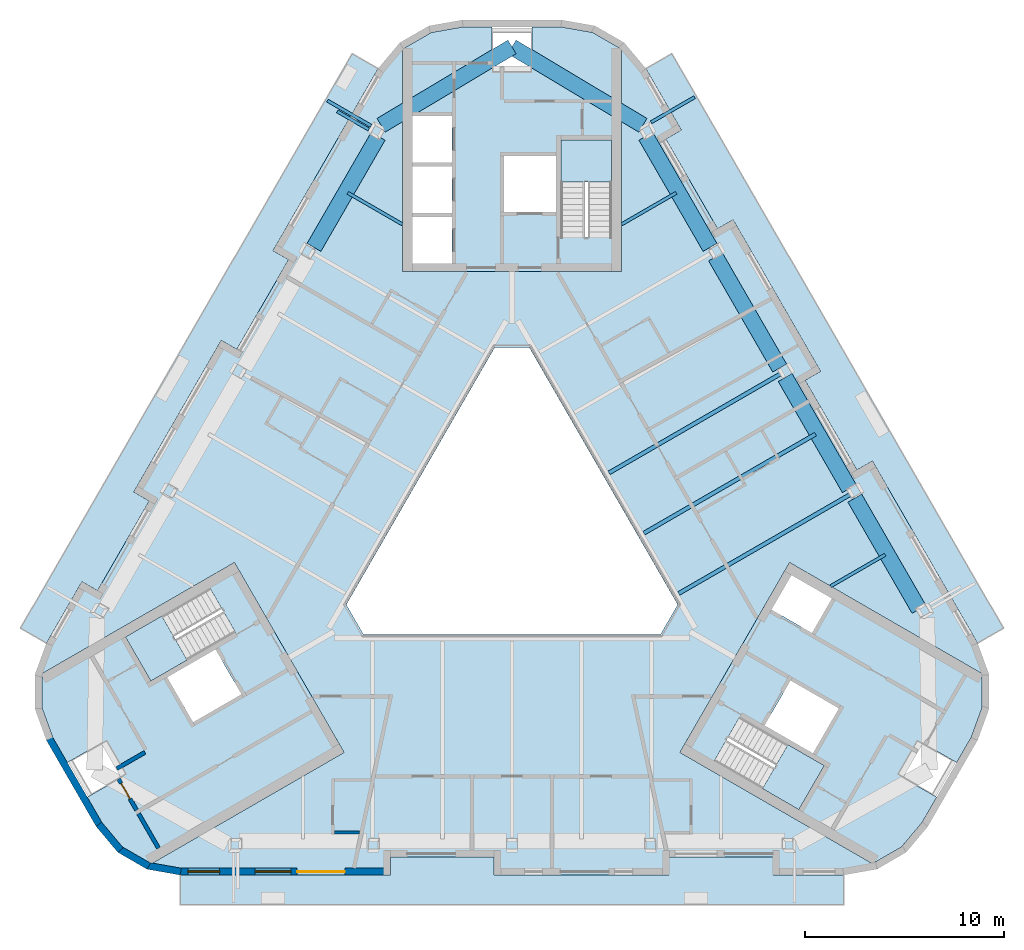
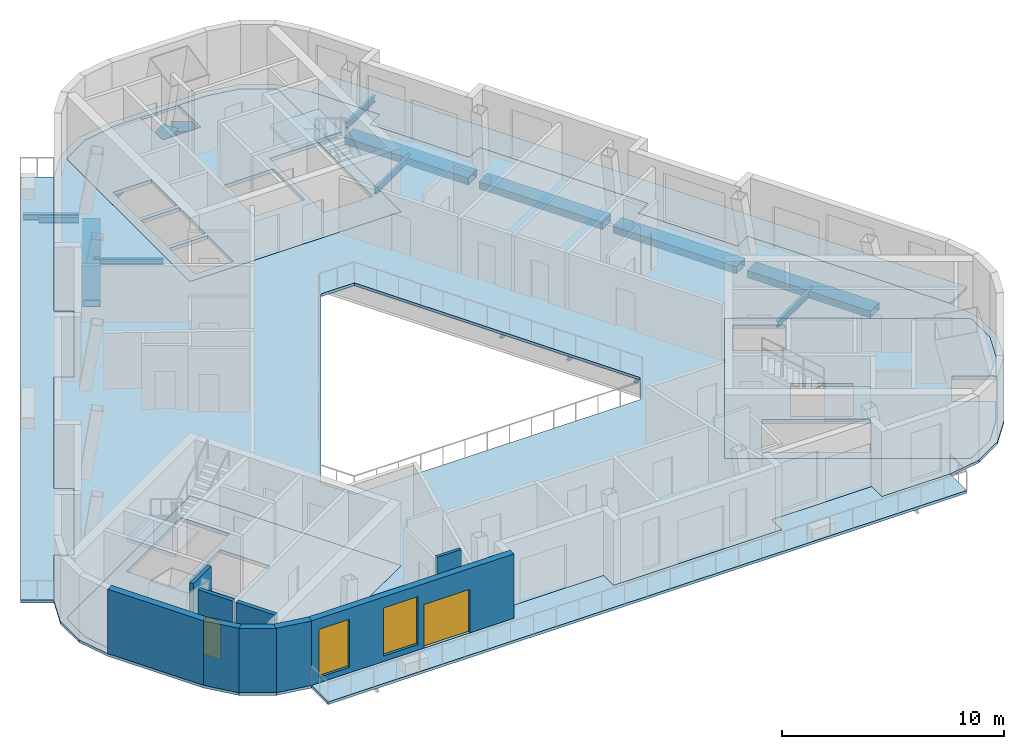
# One storey, part 2 of 13: 16 beams, 10 slabs, 9 walls, 2 doors, 2 windows, 4 openings, 3 elements without a shape of their own.
"""IFC4 building model written with IfcOpenShell, lengths in metres."""

from ifc_helpers import new_model, si_unit, direction, frame, frame_2d, origin, origin_2d, place, context, subcontext, project, spatial, polyline, rectangle, hollow_rectangle, i_section, outline, extrude, material, layer, layer_set, material_profile, profile_set, type_object, element, fill, aggregate, save


model = new_model("IFC4")

# Units and contexts
model_context = context("Model", 3, precision=1e-05, world=origin(), true_north=direction((0.0, 1.0)))
body_context = subcontext(model_context, "Body", "Model", "MODEL_VIEW")
ifc_project = project(units=[si_unit("LENGTHUNIT", "METRE"), si_unit("AREAUNIT", "SQUARE_METRE"), si_unit("VOLUMEUNIT", "CUBIC_METRE"), si_unit("PLANEANGLEUNIT", "RADIAN"), si_unit("MASSUNIT", "GRAM", prefix="KILO")], contexts=[model_context])

# Site, building, storey
site_placement = place(None, origin())
site = spatial("IfcSite", under=ifc_project, at=site_placement, CompositionType="ELEMENT")
building_placement = place(site_placement, origin())
building = spatial("IfcBuilding", under=site, at=building_placement, Name="Apuvela Tower Hotel", CompositionType="ELEMENT")
storey_placement = place(building_placement, frame((0.0, 0.0, 298.5)))
storey = spatial("IfcBuildingStorey", under=building, at=storey_placement, Name="L74", CompositionType="ELEMENT", Elevation=298.5)

# Beams
ifc_material_1 = material(Name="Steel S355", Category="steel")
ifc_material_profile_1 = material_profile(ifc_material_1, i_section(OverallWidth=0.159912109375, OverallDepth=0.330078125, WebThickness=0.007568359375, FlangeThickness=0.011474609375, at=origin_2d()), Name="IPE 330")
ifc_profile_set_1 = profile_set([ifc_material_profile_1], Name="Steel S355")
beam_type_1 = type_object("IfcBeamType", Name="ENV-BALCONY-BEAM-IPE330", PredefinedType="BEAM", material=ifc_profile_set_1)
for number, where, z_axis, x_axis, name in (
    (1, (6.97412109375, 20.3935546875, -0.31494140625), (0.866039067339, 0.499976333282, 0.0), (-0.499976333282, 0.866039067339, 0.0), "Balcony cantilever beam NE3 L74"),
    (2, (-7.07421875, 20.220458984375, -0.31494140625), (-0.866039067339, 0.499976333282, 0.0), (-0.499976333282, -0.866039067339, 0.0), "Balcony cantilever beam NW1 L74"),
):
    element("IfcBeam", number, at=place(storey_placement, frame(where, z_axis=z_axis, x_axis=x_axis)), inside=storey, type_object=beam_type_1, Name=name, PredefinedType="BEAM", context=body_context, shape_type="SweptSolid", body=[
        extrude(i_section(OverallWidth=0.159912109375, OverallDepth=0.330078125, WebThickness=0.007568359375, FlangeThickness=0.011474609375, at=origin_2d()), origin(), (0.0, 0.0, 1.0), 2.52490234375),
    ])
beam_1_placement = place(storey_placement, frame((-7.18408203125, 20.02978515625, -0.31494140625), z_axis=(-0.866011828767, 0.500023511883, 0.0), x_axis=(-0.500023511883, -0.866011828767, 0.0)))
element("IfcBeam", 3, at=beam_1_placement, inside=storey, type_object=beam_type_1, Name="Balcony cantilever beam NW2 L74", PredefinedType="BEAM", context=body_context, shape_type="SweptSolid", body=[
    extrude(i_section(OverallWidth=0.159912109375, OverallDepth=0.330078125, WebThickness=0.007568359375, FlangeThickness=0.011474609375, at=origin_2d()), origin(), (0.0, 0.0, 1.0), 1.8251953125),
])
ifc_material_profile_2 = material_profile(ifc_material_1, i_section(OverallWidth=0.159912109375, OverallDepth=0.330078125, WebThickness=0.007568359375, FlangeThickness=0.011474609375, at=origin_2d()), Name="IPE 330")
ifc_profile_set_2 = profile_set([ifc_material_profile_2], Name="Steel S355")
beam_type_2 = type_object("IfcBeamType", Name="STR-B floor beam IPE 330", PredefinedType="BEAM", material=ifc_profile_set_2)
for number, where, z_axis, x_axis, name in (
    (4, (18.717041015625, -1.295654296875, -0.31494140625), (-0.866023457084, -0.500003371769, 0.0), (0.500003371769, -0.866023457084, 0.0), "Floor beam B1 NE2"),
    (5, (8.236328125, 16.857421875, -0.31494140625), (-0.866023457084, -0.500003371769, 0.0), (0.500003371769, -0.866023457084, 0.0), "Floor beam B1 NE8"),
    (6, (-8.236328125, 16.857421875, -0.31494140625), (0.866023457084, -0.500003371769, 0.0), (0.500003371769, 0.866023457084, 0.0), "Floor beam B1 NW2"),
):
    element("IfcBeam", number, at=place(storey_placement, frame(where, z_axis=z_axis, x_axis=x_axis)), inside=storey, type_object=beam_type_2, Name=name, PredefinedType="BEAM", context=body_context, shape_type="SweptSolid", body=[
        extrude(i_section(OverallWidth=0.159912109375, OverallDepth=0.330078125, WebThickness=0.007568359375, FlangeThickness=0.011474609375, at=origin_2d()), origin(), (0.0, 0.0, 1.0), 3.15966796875),
    ])
ifc_material_profile_3 = material_profile(ifc_material_1, i_section(OverallWidth=0.199951171875, OverallDepth=0.5, WebThickness=0.01025390625, FlangeThickness=0.01611328125, at=origin_2d()), Name="IPE 500")
ifc_profile_set_3 = profile_set([ifc_material_profile_3], Name="Steel S355")
beam_type_3 = type_object("IfcBeamType", Name="STR-B floor beam IPE 500", PredefinedType="BEAM", material=ifc_profile_set_3)
beam_2_placement = place(storey_placement, frame((17.07861328125, 1.792236328125, -0.39990234375), z_axis=(-0.866031712701, -0.499989072476, 0.0), x_axis=(0.499989072476, -0.866031712701, 0.0)))
element("IfcBeam", 7, at=beam_2_placement, inside=storey, type_object=beam_type_3, Name="Floor beam B3 NE3", PredefinedType="BEAM", context=body_context, shape_type="SweptSolid", body=[
    extrude(i_section(OverallWidth=0.199951171875, OverallDepth=0.5, WebThickness=0.01025390625, FlangeThickness=0.01611328125, at=origin_2d()), origin(), (0.0, 0.0, 1.0), 10.066650390625),
])
beam_3_placement = place(storey_placement, frame((15.2236328125, 4.75537109375, -0.39990234375), z_axis=(-0.866023644935, -0.500003046405, 0.0), x_axis=(0.500003046405, -0.866023644935, 0.0)))
element("IfcBeam", 8, at=beam_3_placement, inside=storey, type_object=beam_type_3, Name="Floor beam B3 NE4", PredefinedType="BEAM", context=body_context, shape_type="SweptSolid", body=[
    extrude(i_section(OverallWidth=0.199951171875, OverallDepth=0.5, WebThickness=0.01025390625, FlangeThickness=0.01611328125, at=origin_2d()), origin(), (0.0, 0.0, 1.0), 9.94189453125),
])
beam_4_placement = place(storey_placement, frame((13.5849609375, 7.84326171875, -0.39990234375), z_axis=(-0.866025649656, -0.499999574138, 0.0), x_axis=(0.499999574138, -0.866025649656, 0.0)))
element("IfcBeam", 9, at=beam_4_placement, inside=storey, type_object=beam_type_3, Name="Floor beam B3 NE5", PredefinedType="BEAM", context=body_context, shape_type="SweptSolid", body=[
    extrude(i_section(OverallWidth=0.199951171875, OverallDepth=0.5, WebThickness=0.01025390625, FlangeThickness=0.01611328125, at=origin_2d()), origin(), (0.0, 0.0, 1.0), 10.06640625),
])
ifc_material_2 = material(Name="Steel S460", Category="steel")
ifc_material_profile_4 = material_profile(ifc_material_2, hollow_rectangle(XDim=0.800048828125, YDim=0.39990234375, WallThickness=0.02490234375, at=origin_2d()), Name="BOX 800x400x25")
ifc_profile_set_4 = profile_set([ifc_material_profile_4], Name="Steel S460")
beam_type_4 = type_object("IfcBeamType", Name="STR-RB perimeter ring beam BOX 800x400x25", PredefinedType="SPANDREL", material=ifc_profile_set_4)
beam_5_placement = place(storey_placement, frame((20.4130859375, -4.033203125, -0.39990234375), z_axis=(-0.500022299258, 0.866012528919, 0.0), x_axis=(-0.866012528919, -0.500022299258, 0.0)))
element("IfcBeam", 10, at=beam_5_placement, inside=storey, type_object=beam_type_4, Name="Ring beam RB1 NE1", PredefinedType="SPANDREL", context=body_context, shape_type="SweptSolid", body=[
    extrude(hollow_rectangle(XDim=0.800048828125, YDim=0.39990234375, WallThickness=0.02490234375, at=origin_2d()), origin(), (0.0, 0.0, 1.0), 6.437255859375),
])
for number, where, z_axis, x_axis, name in (
    (11, (16.91943359375, 2.01806640625, -0.39990234375), (-0.499993854458, 0.866028951885, 0.0), (-0.866028951885, -0.499993854458, 0.0), "Ring beam RB1 NE2"),
    (12, (13.42578125, 8.069091796875, -0.39990234375), (-0.499993854458, 0.866028951885, 0.0), (-0.866028951885, -0.499993854458, 0.0), "Ring beam RB1 NE3"),
):
    element("IfcBeam", number, at=place(storey_placement, frame(where, z_axis=z_axis, x_axis=x_axis)), inside=storey, type_object=beam_type_4, Name=name, PredefinedType="SPANDREL", context=body_context, shape_type="SweptSolid", body=[
        extrude(hollow_rectangle(XDim=0.800048828125, YDim=0.39990234375, WallThickness=0.02490234375, at=origin_2d()), origin(), (0.0, 0.0, 1.0), 6.43701171875),
    ])
for number, where, z_axis, x_axis, name in (
    (13, (9.932373046875, 14.1201171875, -0.39990234375), (-0.500010277719, 0.866019469859, 0.0), (-0.866019469859, -0.500010277719, 0.0), "Ring beam RB1 NE4"),
    (14, (-6.7138671875, 19.694580078125, -0.39990234375), (-0.500010277719, -0.866019469859, 0.0), (0.866019469859, -0.500010277719, 0.0), "Ring beam RB1 NW1"),
):
    element("IfcBeam", number, at=place(storey_placement, frame(where, z_axis=z_axis, x_axis=x_axis)), inside=storey, type_object=beam_type_4, Name=name, PredefinedType="SPANDREL", context=body_context, shape_type="SweptSolid", body=[
        extrude(hollow_rectangle(XDim=0.800048828125, YDim=0.39990234375, WallThickness=0.02490234375, at=origin_2d()), origin(), (0.0, 0.0, 1.0), 6.436767578125),
    ])
for number, where, z_axis, x_axis, name in (
    (15, (6.566162109375, 20.244384765625, -0.39990234375), (-0.858013245135, 0.513627560761, 0.0), (-0.513627560761, -0.858013245135, 0.0), "Ring beam RB1 NE5-N"),
    (16, (-6.566162109375, 20.244384765625, -0.39990234375), (0.858013245135, 0.513627560761, 0.0), (-0.513627560761, 0.858013245135, 0.0), "Ring beam RB1 NW1-N"),
):
    element("IfcBeam", number, at=place(storey_placement, frame(where, z_axis=z_axis, x_axis=x_axis)), inside=storey, type_object=beam_type_4, Name=name, PredefinedType="SPANDREL", context=body_context, shape_type="SweptSolid", body=[
        extrude(hollow_rectangle(XDim=0.800048828125, YDim=0.39990234375, WallThickness=0.02490234375, at=origin_2d()), origin(), (0.0, 0.0, 1.0), 7.65283203125),
    ])

# Slabs
ifc_material_3 = material(Name="Concrete C50/60", Category="concrete")
ifc_layer_1 = layer(ifc_material_3, 0.199951171875)
ifc_layer_set_1 = layer_set([ifc_layer_1], Name="COR-FLOOR-200")
slab_type_1 = type_object("IfcSlabType", Name="COR-FLOOR-200", PredefinedType="FLOOR", material=ifc_layer_set_1)
slab_1_placement = place(storey_placement, frame((0.0, 0.0, -0.199951171875)))
element("IfcSlab", 17, at=slab_1_placement, inside=storey, type_object=slab_type_1, Name="Core floor N", PredefinedType="FLOOR", context=body_context, shape_type="SweptSolid", body=[
    extrude(outline(polyline([(5.5, 23.99609375), (5.400390625, 24.11474609375), (4.044189453125, 24.897705078125), (2.471435546875, 25.175048828125), (1.0, 25.175048828125), (1.0, 23.175048828125), (-1.0, 23.175048828125), (-1.0, 25.175048828125), (-2.471435546875, 25.175048828125), (-4.044189453125, 24.897705078125), (-5.400390625, 24.11474609375), (-5.5, 23.99609375), (-5.5, 12.89990234375), (5.5, 12.89990234375), (5.5, 23.99609375)]), holes=[polyline([(-3.0, 13.300048828125), (-5.0, 13.300048828125), (-5.0, 15.639892578125), (-3.0, 15.639892578125), (-3.0, 13.300048828125)]), polyline([(-3.0, 15.840087890625), (-5.0, 15.840087890625), (-5.0, 18.179931640625), (-3.0, 18.179931640625), (-3.0, 15.840087890625)]), polyline([(5.0, 14.60595703125), (2.449951171875, 14.60595703125), (2.449951171875, 19.5), (5.0, 19.5), (5.0, 14.60595703125)]), polyline([(2.199951171875, 18.699951171875), (2.199951171875, 15.89990234375), (-0.39990234375, 15.89990234375), (-0.39990234375, 18.699951171875), (2.199951171875, 18.699951171875)]), polyline([(-3.0, 20.719970703125), (-3.0, 18.3798828125), (-5.0, 18.3798828125), (-5.0, 20.719970703125), (-3.0, 20.719970703125)])]), origin(), (0.0, 0.0, 1.0), 0.199951171875),
])
slab_2_placement = place(storey_placement, frame((0.0, 0.0, -0.199951171875)))
element("IfcSlab", 18, at=slab_2_placement, inside=storey, type_object=slab_type_1, Name="Core floor SW", PredefinedType="FLOOR", context=body_context, shape_type="SweptSolid", body=[
    extrude(outline(polyline([(-23.53125, -7.23486328125), (-23.584228515625, -7.38037109375), (-23.584228515625, -8.9462890625), (-23.0380859375, -10.447265625), (-22.30224609375, -11.721435546875), (-20.5703125, -10.721435546875), (-19.5703125, -12.45361328125), (-21.30224609375, -13.45361328125), (-20.56640625, -14.727783203125), (-19.539794921875, -15.951416015625), (-18.183837890625, -16.734375), (-18.03125, -16.76123046875), (-8.421630859375, -11.213134765625), (-13.921630859375, -1.68701171875), (-23.53125, -7.23486328125)]), holes=[polyline([(-13.874267578125, -5.18115234375), (-18.112548828125, -7.628173828125), (-19.387451171875, -5.419921875), (-15.149169921875, -2.972900390625), (-13.874267578125, -5.18115234375)]), polyline([(-13.56982421875, -8.29638671875), (-15.99462890625, -9.6962890625), (-17.294677734375, -7.444580078125), (-14.869873046875, -6.044677734375), (-13.56982421875, -8.29638671875)])]), origin(), (0.0, 0.0, 1.0), 0.199951171875),
])
slab_3_placement = place(storey_placement, frame((0.0, 0.0, -0.199951171875)))
element("IfcSlab", 19, at=slab_3_placement, inside=storey, type_object=slab_type_1, Name="Core floor SE", PredefinedType="FLOOR", context=body_context, shape_type="SweptSolid", body=[
    extrude(outline(polyline([(18.03125, -16.76123046875), (18.183837890625, -16.734375), (19.539794921875, -15.951416015625), (20.56640625, -14.727783203125), (21.30224609375, -13.45361328125), (19.5703125, -12.45361328125), (20.5703125, -10.721435546875), (22.30224609375, -11.721435546875), (23.0380859375, -10.447265625), (23.584228515625, -8.9462890625), (23.584228515625, -7.38037109375), (23.53125, -7.23486328125), (13.921630859375, -1.68701171875), (8.421630859375, -11.213134765625), (18.03125, -16.76123046875)]), holes=[polyline([(14.01806640625, -2.31982421875), (16.044677734375, -3.489990234375), (15.044677734375, -5.221923828125), (13.01806640625, -4.052001953125), (14.01806640625, -2.31982421875)]), polyline([(10.149169921875, -11.633056640625), (11.42431640625, -9.4248046875), (15.66259765625, -11.871826171875), (14.387451171875, -14.080078125), (10.149169921875, -11.633056640625)]), polyline([(12.669921875, -9.855224609375), (13.9697265625, -7.603515625), (16.394775390625, -9.003662109375), (15.0947265625, -11.25537109375), (12.669921875, -9.855224609375)])]), origin(), (0.0, 0.0, 1.0), 0.199951171875),
])

# Stair, slab
stair_type = type_object("IfcStairType", Name="COR-STAIR-22R", PredefinedType="HALF_TURN_STAIR", material=ifc_material_3)
stair_1_placement = place(storey_placement, origin())
stair_1 = element("IfcStair", 20, at=stair_1_placement, inside=storey, type_object=stair_type, Name="L74 Exit stair ST1", PredefinedType="HALF_TURN_STAIR")
ifc_layer_2 = layer(ifc_material_3, 0.199951171875)
ifc_layer_set_2 = layer_set([ifc_layer_2], Name="COR-LANDING-200")
slab_type_2 = type_object("IfcSlabType", Name="COR-LANDING-200", PredefinedType="LANDING", material=ifc_layer_set_2)
slab_4_placement = place(storey_placement, frame((0.0, 0.0, 1.64990234375)))
slab_4 = element("IfcSlab", 21, at=slab_4_placement, type_object=slab_type_2, Name="ST1 landing 1", PredefinedType="LANDING", context=body_context, shape_type="SweptSolid", body=[
    extrude(outline(polyline([(5.0, 17.39404296875), (5.0, 19.5), (2.449951171875, 19.5), (2.449951171875, 17.39404296875), (5.0, 17.39404296875)])), origin(), (0.0, 0.0, 1.0), 0.2001953125),
])
aggregate(stair_1, [slab_4])

stair_2_placement = place(storey_placement, origin())
stair_2 = element("IfcStair", 22, at=stair_2_placement, inside=storey, type_object=stair_type, Name="L74 Exit stair ST2", PredefinedType="HALF_TURN_STAIR")
slab_5_placement = place(storey_placement, frame((0.0, 0.0, 1.64990234375)))
slab_5 = element("IfcSlab", 23, at=slab_5_placement, type_object=slab_type_2, Name="ST2 landing 1", PredefinedType="LANDING", context=body_context, shape_type="SweptSolid", body=[
    extrude(outline(polyline([(-17.563720703125, -4.366943359375), (-19.387451171875, -5.419921875), (-18.112548828125, -7.628173828125), (-16.28857421875, -6.5751953125), (-17.563720703125, -4.366943359375)])), origin(), (0.0, 0.0, 1.0), 0.2001953125),
])
aggregate(stair_2, [slab_5])

stair_3_placement = place(storey_placement, origin())
stair_3 = element("IfcStair", 24, at=stair_3_placement, inside=storey, type_object=stair_type, Name="L74 Exit stair ST3", PredefinedType="HALF_TURN_STAIR")
slab_6_placement = place(storey_placement, frame((0.0, 0.0, 1.64990234375)))
slab_6 = element("IfcSlab", 25, at=slab_6_placement, type_object=slab_type_2, Name="ST3 landing 1", PredefinedType="LANDING", context=body_context, shape_type="SweptSolid", body=[
    extrude(outline(polyline([(12.563720703125, -13.027099609375), (14.387451171875, -14.080078125), (15.66259765625, -11.871826171875), (13.838623046875, -10.81884765625), (12.563720703125, -13.027099609375)])), origin(), (0.0, 0.0, 1.0), 0.2001953125),
])
aggregate(stair_3, [slab_6])

# Slabs
ifc_material_4 = material(Name="Concrete C40/50, fair-faced", Category="concrete")
ifc_layer_3 = layer(ifc_material_4, 0.14990234375)
ifc_layer_set_3 = layer_set([ifc_layer_3], Name="ENV-BALCONY-150")
slab_type_3 = type_object("IfcSlabType", Name="ENV-BALCONY-150", PredefinedType="FLOOR", material=ifc_layer_set_3)
slab_7_placement = place(storey_placement, frame((0.0, 0.0, -0.14990234375)))
element("IfcSlab", 26, at=slab_7_placement, inside=storey, type_object=slab_type_3, Name="Balcony slab S L74", PredefinedType="FLOOR", context=body_context, shape_type="SweptSolid", body=[
    extrude(outline(polyline([(16.646484375, -18.86669921875), (-16.646484375, -18.86669921875), (-16.646484375, -17.356689453125), (-6.092041015625, -17.356689453125), (-6.092041015625, -16.45654296875), (-0.89501953125, -16.45654296875), (-0.89501953125, -17.356689453125), (7.882080078125, -17.356689453125), (7.882080078125, -16.45654296875), (13.0791015625, -16.45654296875), (13.0791015625, -17.356689453125), (16.646484375, -17.356689453125), (16.646484375, -18.86669921875)])), origin(), (0.0, 0.0, 1.0), 0.14990234375),
])
slab_8_placement = place(storey_placement, frame((0.0, 0.0, -0.14990234375)))
element("IfcSlab", 27, at=slab_8_placement, inside=storey, type_object=slab_type_3, Name="Balcony slab NE L74", PredefinedType="FLOOR", context=body_context, shape_type="SweptSolid", body=[
    extrude(outline(polyline([(15.478759765625, 7.9033203125), (11.090087890625, 15.50439453125), (10.310791015625, 15.054443359375), (7.71240234375, 19.555419921875), (8.49169921875, 20.00537109375), (6.7080078125, 23.094482421875), (8.015625, 23.849609375), (24.662353515625, -4.98291015625), (23.3544921875, -5.738037109375), (18.077392578125, 3.40234375), (17.2978515625, 2.952392578125), (14.699462890625, 7.453369140625), (15.478759765625, 7.9033203125)])), origin(), (0.0, 0.0, 1.0), 0.14990234375),
])
slab_9_placement = place(storey_placement, frame((0.0, 0.0, -0.14990234375)))
element("IfcSlab", 28, at=slab_9_placement, inside=storey, type_object=slab_type_3, Name="Balcony slab NW L74", PredefinedType="FLOOR", context=body_context, shape_type="SweptSolid", body=[
    extrude(outline(polyline([(-24.662353515625, -4.98291015625), (-8.015625, 23.849609375), (-6.7080078125, 23.0947265625), (-11.9853515625, 13.9541015625), (-11.205810546875, 13.504150390625), (-13.804443359375, 9.00341796875), (-14.583740234375, 9.453369140625), (-18.972412109375, 1.852294921875), (-18.19287109375, 1.402099609375), (-20.79150390625, -3.0986328125), (-21.57080078125, -2.648681640625), (-23.3544921875, -5.738037109375), (-24.662353515625, -4.98291015625)])), origin(), (0.0, 0.0, 1.0), 0.14990234375),
])
ifc_material_5 = material(Name="Concrete C35/45", Category="concrete")
ifc_layer_4 = layer(ifc_material_5, 0.14990234375)
ifc_layer_set_4 = layer_set([ifc_layer_4], Name="STR-SLAB 150 floor Concrete C35/45")
slab_type_4 = type_object("IfcSlabType", Name="STR-SLAB 150 floor Concrete C35/45", PredefinedType="FLOOR", material=ifc_layer_set_4)
slab_10_placement = place(storey_placement, frame((0.0, 0.0, -0.14990234375)))
element("IfcSlab", 29, at=slab_10_placement, inside=storey, type_object=slab_type_4, Name="Floor slab S4 L74", PredefinedType="FLOOR", context=body_context, shape_type="SweptSolid", body=[
    extrude(outline(polyline([(-5.62890625, 24.386962890625), (-4.165771484375, 25.231689453125), (-2.502197265625, 25.525146484375), (2.502197265625, 25.525146484375), (4.165771484375, 25.231689453125), (5.62890625, 24.386962890625), (6.71484375, 23.0927734375), (8.49853515625, 20.00341796875), (7.718994140625, 19.553466796875), (10.3125, 15.061279296875), (11.092041015625, 15.51123046875), (15.485595703125, 7.9013671875), (14.706298828125, 7.451416015625), (17.2998046875, 2.959228515625), (18.0791015625, 3.4091796875), (23.3564453125, -5.731201171875), (23.93408203125, -7.318603515625), (23.93408203125, -9.008056640625), (23.3564453125, -10.595703125), (20.854248046875, -14.929443359375), (19.768310546875, -16.2236328125), (18.305419921875, -17.068359375), (16.6416015625, -17.361572265625), (13.07421875, -17.361572265625), (13.07421875, -16.461669921875), (7.88720703125, -16.461669921875), (7.88720703125, -17.361572265625), (-0.89990234375, -17.361572265625), (-0.89990234375, -16.461669921875), (-6.087158203125, -16.461669921875), (-6.087158203125, -17.361572265625), (-16.6416015625, -17.361572265625), (-18.305419921875, -17.068359375), (-19.768310546875, -16.2236328125), (-20.854248046875, -14.929443359375), (-23.3564453125, -10.595703125), (-23.93408203125, -9.008056640625), (-23.93408203125, -7.318603515625), (-23.3564453125, -5.731201171875), (-21.57275390625, -2.641845703125), (-20.793212890625, -3.091796875), (-18.19970703125, 1.400390625), (-18.979248046875, 1.850341796875), (-14.585693359375, 9.460205078125), (-13.80615234375, 9.01025390625), (-11.212646484375, 13.50244140625), (-11.9921875, 13.952392578125), (-6.71484375, 23.0927734375), (-5.62890625, 24.386962890625)]), holes=[polyline([(0.865966796875, 9.10009765625), (-0.865966796875, 9.10009765625), (-8.313720703125, -3.800048828125), (-7.44775390625, -5.300048828125), (7.44775390625, -5.300048828125), (8.313720703125, -3.800048828125), (0.865966796875, 9.10009765625)]), polyline([(-5.5, 12.89990234375), (-5.5, 23.99609375), (-5.400390625, 24.11474609375), (-4.044189453125, 24.897705078125), (-2.471435546875, 25.175048828125), (2.471435546875, 25.175048828125), (4.044189453125, 24.897705078125), (5.400390625, 24.11474609375), (5.5, 23.99609375), (5.5, 12.89990234375), (-5.5, 12.89990234375)]), polyline([(-8.421630859375, -11.213134765625), (-18.03125, -16.76123046875), (-18.183837890625, -16.734375), (-19.539794921875, -15.951416015625), (-20.56640625, -14.727783203125), (-23.0380859375, -10.447265625), (-23.584228515625, -8.9462890625), (-23.584228515625, -7.38037109375), (-23.53125, -7.23486328125), (-13.921630859375, -1.68701171875), (-8.421630859375, -11.213134765625)]), polyline([(13.921630859375, -1.68701171875), (23.53125, -7.23486328125), (23.584228515625, -7.38037109375), (23.584228515625, -8.9462890625), (23.0380859375, -10.447265625), (20.56640625, -14.727783203125), (19.539794921875, -15.951416015625), (18.183837890625, -16.734375), (18.03125, -16.76123046875), (8.421630859375, -11.213134765625), (13.921630859375, -1.68701171875)])]), origin(), (0.0, 0.0, 1.0), 0.14990234375),
])

# Wall, opening, door
ifc_layer_5 = layer(ifc_material_3, 0.199951171875)
ifc_layer_set_5 = layer_set([ifc_layer_5], Name="COR-WALL-SHAFT-200")
wall_type_1 = type_object("IfcWallType", Name="COR-WALL-SHAFT-200", PredefinedType="SHEAR", material=ifc_layer_set_5)
wall_1_placement = place(storey_placement, frame((-19.73046875, -12.5458984375, 0.0), z_axis=(0.0, 0.0, 1.0), x_axis=(0.500004188491, -0.866022985545, 0.0)))
wall_1 = element("IfcWall", 30, at=wall_1_placement, inside=storey, type_object=wall_type_1, Name="Shaft wall SW", PredefinedType="SHEAR", context=body_context, shape_type="SweptSolid", body=[
    extrude(rectangle(XDim=1.80029296875, YDim=0.199951171875, at=frame_2d((0.900146484375, 0.0))), origin(), (0.0, 0.0, 1.0), 3.5),
])
opening_1_placement = place(wall_1_placement, frame((0.25, 0.0, 0.0)))
opening_1 = element("IfcOpeningElement", 31, at=opening_1_placement, cuts=wall_1, Name="Opening W-REP", PredefinedType="OPENING", context=body_context, shape_type="SweptSolid", body=[
    extrude(rectangle(XDim=0.89990234375, YDim=2.10009765625, at=frame_2d((0.449951171875, 1.050048828125))), frame((0.0, 0.10986328125, 0.0), z_axis=(0.0, -1.0, 0.0), x_axis=(1.0, 0.0, 0.0)), (0.0, 0.0, 1.0), 0.219970703125),
])
ifc_material_6 = material(Name="Steel fire door, powder coated", Category="steel")
door_type_1 = type_object("IfcDoorType", Name="COR-DR-900", OperationType="NOTDEFINED", PredefinedType="DOOR", material=ifc_material_6)
door_1_placement = place(opening_1_placement, frame((0.89990234375, 0.0, 0.0), z_axis=(0.0, 0.0, 1.0), x_axis=(-1.0, 0.0, 0.0)))
door_1 = element("IfcDoor", 32, at=door_1_placement, inside=storey, type_object=door_type_1, Name="Store door W-REP", OperationType="SINGLE_SWING_LEFT", OverallHeight=2.10009765625, OverallWidth=0.89990234375, PredefinedType="DOOR", context=body_context, shape_type="SweptSolid", body=[
    extrude(rectangle(XDim=0.89990234375, YDim=2.10009765625, at=frame_2d((0.449951171875, 1.050048828125))), frame((0.0, 0.02490234375, 0.0), z_axis=(0.0, -1.0, 0.0), x_axis=(1.0, 0.0, 0.0)), (0.0, 0.0, 1.0), 0.050048828125),
])
fill(opening_1, door_1)

# Walls
wall_2_placement = place(storey_placement, frame((-18.412841796875, -11.2080078125, 0.0), z_axis=(0.0, 0.0, 1.0), x_axis=(-0.866053003207, -0.499952193351, 0.0)))
element("IfcWall", 33, at=wall_2_placement, inside=storey, type_object=wall_type_1, Name="Shaft wall SW", PredefinedType="SHEAR", context=body_context, shape_type="SweptSolid", body=[
    extrude(rectangle(XDim=1.625244140625, YDim=0.199951171875, at=frame_2d((0.8125, 0.0))), origin(), (0.0, 0.0, 1.0), 3.5),
])
wall_3_placement = place(storey_placement, frame((-18.73046875, -14.278076171875, 0.0), z_axis=(0.0, 0.0, 1.0), x_axis=(0.50002537861, -0.866010750942, 0.0)))
element("IfcWall", 34, at=wall_3_placement, inside=storey, type_object=wall_type_1, Name="Shaft wall SW", PredefinedType="SHEAR", context=body_context, shape_type="SweptSolid", body=[
    extrude(rectangle(XDim=2.0, YDim=0.199951171875, at=frame_2d((1.0, 0.0))), origin(), (0.0, 0.0, 1.0), 3.5),
])
ifc_material_7 = material(Name="Concrete C40/50, dark pigmented precast panel", Category="concrete")
ifc_layer_6 = layer(ifc_material_7, 0.35009765625)
ifc_layer_set_6 = layer_set([ifc_layer_6], Name="ENV-WALL-350")
wall_type_2 = type_object("IfcWallType", Name="ENV-WALL-350", PredefinedType="SOLIDWALL", material=ifc_layer_set_6)
wall_4_placement = place(storey_placement, frame((-23.204833984375, -10.508056640625, 0.0), z_axis=(0.0, 0.0, 1.0), x_axis=(0.500016662025, -0.866015783746, 0.0)))
element("IfcWall", 35, at=wall_4_placement, inside=storey, type_object=wall_type_2, Name="External wall L74-13", PredefinedType="SOLIDWALL", context=body_context, shape_type="SweptSolid", body=[
    extrude(rectangle(XDim=5.004150390625, YDim=0.35009765625, at=frame_2d((2.501953125, 0.0))), origin(), (0.0, 0.0, 1.0), 3.550048828125),
])
wall_5_placement = place(storey_placement, frame((-20.72021484375, -14.81689453125, 0.0), z_axis=(0.0, 0.0, 1.0), x_axis=(0.642697100627, -0.766120380127, 0.0)))
element("IfcWall", 36, at=wall_5_placement, inside=storey, type_object=wall_type_2, Name="External wall L74-14", PredefinedType="SOLIDWALL", context=body_context, shape_type="SweptSolid", body=[
    extrude(rectangle(XDim=1.689208984375, YDim=0.35009765625, at=frame_2d((0.8447265625, 0.0))), origin(), (0.0, 0.0, 1.0), 3.550048828125),
])
for number, where, z_axis, x_axis, name in (
    (37, (-19.680908203125, -16.072021484375, 0.0), (0.0, 0.0, 1.0), (0.866029168372, -0.499993479487, 0.0), "External wall L74-15"),
    (38, (-18.27490234375, -16.89599609375, 0.0), (0.0, 0.0, 1.0), (0.984824265658, -0.17355450375, 0.0), "External wall L74-16"),
):
    element("IfcWall", number, at=place(storey_placement, frame(where, z_axis=z_axis, x_axis=x_axis)), inside=storey, type_object=wall_type_2, Name=name, PredefinedType="SOLIDWALL", context=body_context, shape_type="SweptSolid", body=[
        extrude(rectangle(XDim=1.689453125, YDim=0.35009765625, at=frame_2d((0.8447265625, 0.0))), origin(), (0.0, 0.0, 1.0), 3.550048828125),
    ])

# Wall, openings, door, windows
wall_6_placement = place(storey_placement, frame((-16.6416015625, -17.1865234375, 0.0), z_axis=(0.0, 0.0, 1.0), x_axis=(1.0, 0.0, 0.0)))
wall_6 = element("IfcWall", 39, at=wall_6_placement, inside=storey, type_object=wall_type_2, Name="External wall L74-17", PredefinedType="SOLIDWALL", context=body_context, shape_type="SweptSolid", body=[
    extrude(rectangle(XDim=10.554443359375, YDim=0.35009765625, at=frame_2d((5.27734375, 0.0))), origin(), (0.0, 0.0, 1.0), 3.550048828125),
])
opening_2_placement = place(wall_6_placement, frame((0.38037109375, 0.0, 0.300048828125)))
opening_2 = element("IfcOpeningElement", 40, at=opening_2_placement, cuts=wall_6, Name="Opening WN16", PredefinedType="OPENING", context=body_context, shape_type="SweptSolid", body=[
    extrude(rectangle(XDim=1.60009765625, YDim=2.64990234375, at=frame_2d((0.800048828125, 1.324951171875))), frame((0.0, 0.18505859375, 0.0), z_axis=(0.0, -1.0, 0.0), x_axis=(1.0, 0.0, 0.0)), (0.0, 0.0, 1.0), 0.3701171875),
])
opening_3_placement = place(wall_6_placement, frame((5.8642578125, 0.0, 0.0)))
opening_3 = element("IfcOpeningElement", 41, at=opening_3_placement, cuts=wall_6, Name="Opening BD24", PredefinedType="OPENING", context=body_context, shape_type="SweptSolid", body=[
    extrude(rectangle(XDim=2.39990234375, YDim=2.39990234375, at=frame_2d((1.199951171875, 1.199951171875))), frame((0.0, 0.18505859375, 0.0), z_axis=(0.0, -1.0, 0.0), x_axis=(1.0, 0.0, 0.0)), (0.0, 0.0, 1.0), 0.3701171875),
])
opening_4_placement = place(wall_6_placement, frame((3.75439453125, 0.0, 0.300048828125)))
opening_4 = element("IfcOpeningElement", 42, at=opening_4_placement, cuts=wall_6, Name="Opening WN18", PredefinedType="OPENING", context=body_context, shape_type="SweptSolid", body=[
    extrude(rectangle(XDim=1.800048828125, YDim=2.64990234375, at=frame_2d((0.89990234375, 1.324951171875))), frame((0.0, 0.18505859375, 0.0), z_axis=(0.0, -1.0, 0.0), x_axis=(1.0, 0.0, 0.0)), (0.0, 0.0, 1.0), 0.3701171875),
])
ifc_material_8 = material(Name="Aluminium 6063-T6, dark bronze anodised frame with dark tinted laminated glass", Category="aluminium")
door_type_2 = type_object("IfcDoorType", Name="ENV-DOOR-BALCONY-2400x2400", OperationType="SLIDING_TO_LEFT", PredefinedType="DOOR", material=ifc_material_8)
door_2_placement = place(opening_3_placement, frame((2.39990234375, 0.0, 0.0), z_axis=(0.0, 0.0, 1.0), x_axis=(-1.0, 0.0, 0.0)))
door_2 = element("IfcDoor", 43, at=door_2_placement, inside=storey, type_object=door_type_2, Name="Balcony door BD24", OperationType="SLIDING_TO_LEFT", OverallHeight=2.39990234375, OverallWidth=2.39990234375, PredefinedType="DOOR", context=body_context, shape_type="SweptSolid", body=[
    extrude(rectangle(XDim=2.39990234375, YDim=2.39990234375, at=frame_2d((1.199951171875, 1.199951171875))), frame((0.0, 0.02490234375, 0.0), z_axis=(0.0, -1.0, 0.0), x_axis=(1.0, 0.0, 0.0)), (0.0, 0.0, 1.0), 0.050048828125),
])
fill(opening_3, door_2)
ifc_material_9 = material(Name="Glass, dark tinted laminated insulated glazing unit", Category="glass")
window_type_1 = type_object("IfcWindowType", Name="ENV-WIN-1600x2650", PartitioningType="SINGLE_PANEL", PredefinedType="WINDOW", material=ifc_material_9)
window_1_placement = place(opening_2_placement, origin())
window_1 = element("IfcWindow", 44, at=window_1_placement, inside=storey, type_object=window_type_1, Name="Window WN16", OverallHeight=2.64990234375, OverallWidth=1.60009765625, PartitioningType="SINGLE_PANEL", PredefinedType="WINDOW", context=body_context, shape_type="SweptSolid", body=[
    extrude(rectangle(XDim=1.60009765625, YDim=2.64990234375, at=frame_2d((0.800048828125, 1.324951171875))), frame((0.0, 0.030029296875, 0.0), z_axis=(0.0, -1.0, 0.0), x_axis=(1.0, 0.0, 0.0)), (0.0, 0.0, 1.0), 0.06005859375),
])
fill(opening_2, window_1)
window_type_2 = type_object("IfcWindowType", Name="ENV-WIN-1800x2650", PartitioningType="SINGLE_PANEL", PredefinedType="WINDOW", material=ifc_material_9)
window_2_placement = place(opening_4_placement, origin())
window_2 = element("IfcWindow", 45, at=window_2_placement, inside=storey, type_object=window_type_2, Name="Window WN18", OverallHeight=2.64990234375, OverallWidth=1.800048828125, PartitioningType="SINGLE_PANEL", PredefinedType="WINDOW", context=body_context, shape_type="SweptSolid", body=[
    extrude(rectangle(XDim=1.800048828125, YDim=2.64990234375, at=frame_2d((0.89990234375, 1.324951171875))), frame((0.0, 0.030029296875, 0.0), z_axis=(0.0, -1.0, 0.0), x_axis=(1.0, 0.0, 0.0)), (0.0, 0.0, 1.0), 0.06005859375),
])
fill(opening_4, window_2)

# Wall
ifc_material_10 = material(Name="Moisture-resistant gypsum board wet wall on steel stud", Category="steel")
ifc_layer_7 = layer(ifc_material_10, 0.14990234375)
ifc_layer_set_7 = layer_set([ifc_layer_7], Name="GST-PW3")
wall_type_3 = type_object("IfcWallType", Name="GST-PW3", PredefinedType="PARTITIONING", material=ifc_layer_set_7)
wall_7_placement = place(storey_placement, frame((-8.914794921875, -15.236572265625, 0.0), z_axis=(0.0, 0.0, 1.0), x_axis=(1.0, 0.0, 0.0)))
element("IfcWall", 46, at=wall_7_placement, inside=storey, type_object=wall_type_3, Name="L74 partition 11", PredefinedType="PARTITIONING", context=body_context, shape_type="SweptSolid", body=[
    extrude(rectangle(XDim=1.26416015625, YDim=0.14990234375, at=frame_2d((0.632080078125, 0.0))), origin(), (0.0, 0.0, 1.0), 3.10009765625),
])

save(model, "model.ifc")
